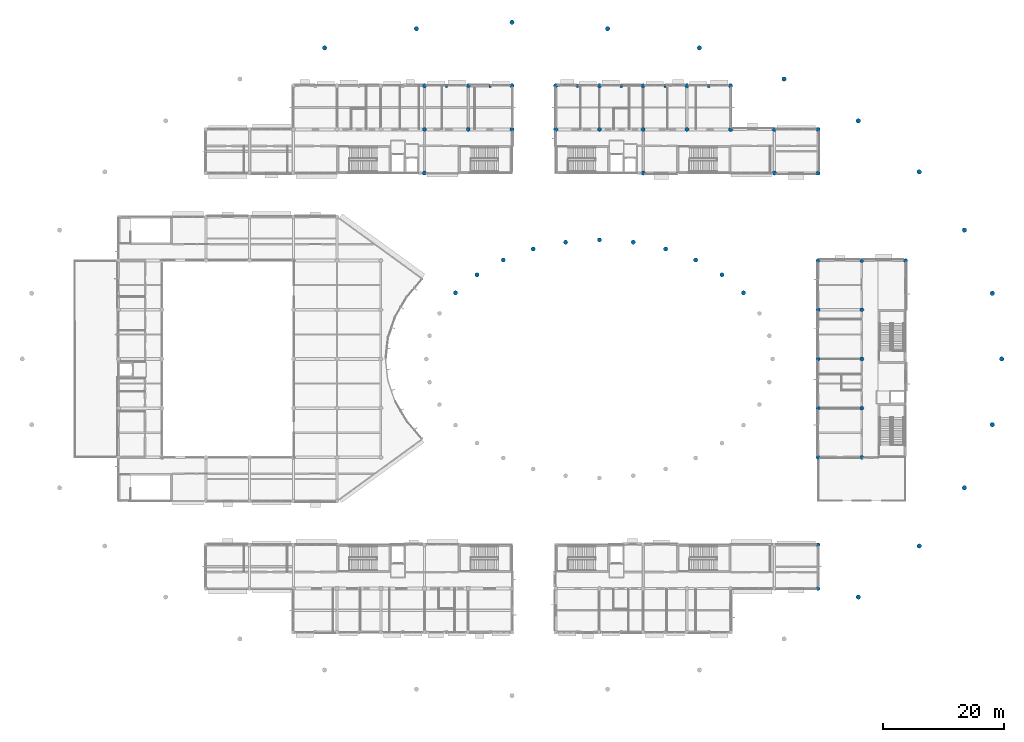
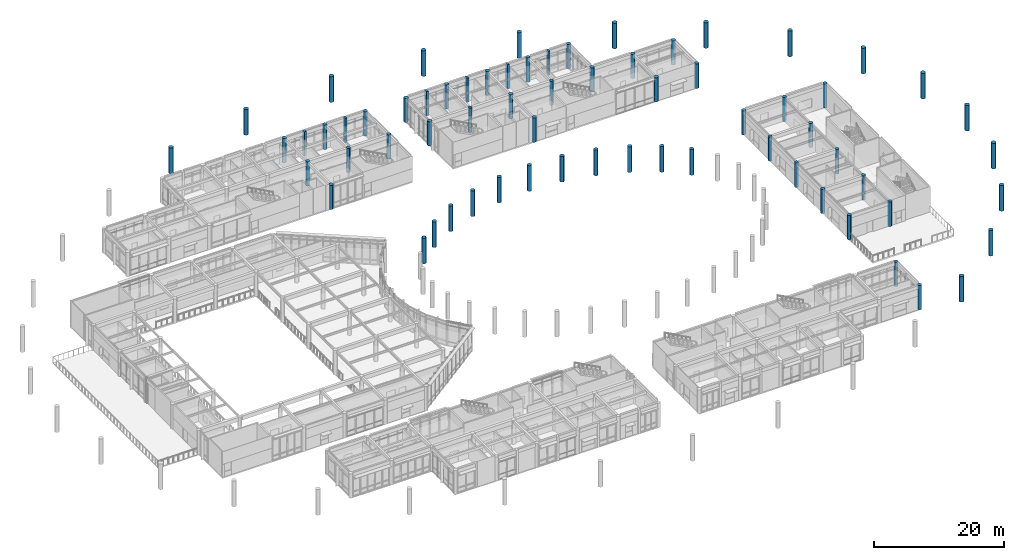
# One storey, part 2 of 92: 67 columns.
"""IFC4 building model written with IfcOpenShell, lengths in metres."""

from ifc_helpers import new_model, si_unit, direction, frame, origin, origin_2d, place, context, subcontext, project, spatial, rectangle, circle, extrude, material, material_profile, profile_set, type_object, element, save


model = new_model("IFC4")

# Units and contexts
model_context = context("Model", 3, precision=1e-05, world=origin(), true_north=direction((0.0, 1.0)))
body_context = subcontext(model_context, "Body", "Model", "MODEL_VIEW")
ifc_project = project(units=[si_unit("LENGTHUNIT", "METRE"), si_unit("AREAUNIT", "SQUARE_METRE"), si_unit("VOLUMEUNIT", "CUBIC_METRE"), si_unit("PLANEANGLEUNIT", "RADIAN"), si_unit("MASSUNIT", "GRAM", prefix="KILO")], contexts=[model_context])

# Site, building, storey
site_placement = place(None, origin())
site = spatial("IfcSite", under=ifc_project, at=site_placement, CompositionType="ELEMENT")
building_placement = place(site_placement, origin())
building = spatial("IfcBuilding", under=site, at=building_placement, Name="Namkhue Oval Health Centre", CompositionType="ELEMENT")
storey_placement = place(building_placement, frame((0.0, 0.0, 4.800048828125)))
storey = spatial("IfcBuildingStorey", under=building, at=storey_placement, Name="L01", CompositionType="ELEMENT", Elevation=4.800048828125)

# Columns
ifc_material = material(Name="Reinforced concrete C35/45 (TCVN B40)", Category="concrete")
ifc_material_profile_1 = material_profile(ifc_material, rectangle(XDim=0.35009765625, YDim=0.60009765625, at=origin_2d()), Name="RC 350x600")
ifc_profile_set_1 = profile_set([ifc_material_profile_1], Name="Reinforced concrete C35/45 (TCVN B40)")
column_type_1 = type_object("IfcColumnType", Name="FACADE PILASTER 350X600", PredefinedType="PILASTER", material=ifc_profile_set_1)
for number, where, z_axis, x_axis, name in (
    (1, (75.60009765625, 104.39990234375, 0.0), (0.0, 0.0, 1.0), (1.0, 0.0, 0.0), "Volume V2 L01 Street Pilaster 11"),
    (2, (82.800048828125, 104.39990234375, 0.0), (0.0, 0.0, 1.0), (1.0, 0.0, 0.0), "Volume V2 L01 Street Pilaster 12"),
):
    element("IfcColumn", number, at=place(storey_placement, frame(where, z_axis=z_axis, x_axis=x_axis)), inside=storey, type_object=column_type_1, Name=name, PredefinedType="PILASTER", context=body_context, shape_type="SweptSolid", body=[
        extrude(rectangle(XDim=0.35009765625, YDim=0.60009765625, at=origin_2d()), origin(), (0.0, 0.0, 1.0), 4.554931640625),
    ])
for number, where, z_axis, x_axis, name in (
    (3, (97.199951171875, 104.39990234375, 0.0), (0.0, 0.0, 1.0), (1.0, 0.0, 0.0), "Volume V3 L01 Street Pilaster 14"),
    (4, (104.39990234375, 104.39990234375, 0.0), (0.0, 0.0, 1.0), (1.0, 0.0, 0.0), "Volume V3 L01 Street Pilaster 15"),
    (5, (111.60009765625, 104.39990234375, 0.0), (0.0, 0.0, 1.0), (1.0, 0.0, 0.0), "Volume V3 L01 Street Pilaster 16"),
    (6, (118.800048828125, 104.39990234375, 0.0), (0.0, 0.0, 1.0), (1.0, 0.0, 0.0), "Volume V3 L01 Street Pilaster 17"),
):
    element("IfcColumn", number, at=place(storey_placement, frame(where, z_axis=z_axis, x_axis=x_axis)), inside=storey, type_object=column_type_1, Name=name, PredefinedType="PILASTER", context=body_context, shape_type="SweptSolid", body=[
        extrude(rectangle(XDim=0.35009765625, YDim=0.60009765625, at=origin_2d()), origin(), (0.0, 0.0, 1.0), 4.530029296875),
    ])
ifc_material_profile_2 = material_profile(ifc_material, circle(Radius=0.324951171875, at=origin_2d()), Name="RC D650")
ifc_profile_set_2 = profile_set([ifc_material_profile_2], Name="Reinforced concrete C35/45 (TCVN B40)")
column_type_2 = type_object("IfcColumnType", Name="RC COLUMN D650 EXT", PredefinedType="COLUMN", material=ifc_profile_set_2)
for number, where, z_axis, x_axis, name in (
    (7, (136.800048828125, 21.60009765625, 0.0), (0.0, 0.0, 1.0), (1.0, 0.0, 0.0), "Volume V5 L01 Column 20/D"),
    (8, (136.800048828125, 28.800048828125, 0.0), (0.0, 0.0, 1.0), (1.0, 0.0, 0.0), "Volume V5 L01 Column 20/E"),
):
    element("IfcColumn", number, at=place(storey_placement, frame(where, z_axis=z_axis, x_axis=x_axis)), inside=storey, type_object=column_type_2, Name=name, PredefinedType="COLUMN", context=body_context, shape_type="SweptSolid", body=[
        extrude(circle(Radius=0.324951171875, at=origin_2d()), origin(), (0.0, 0.0, 1.0), 4.537841796875),
    ])
for number, where, z_axis, x_axis, name in (
    (9, (136.800048828125, 43.199951171875, 0.0), (0.0, 0.0, 1.0), (1.0, 0.0, 0.0), "Volume V6 L01 Column 20/G"),
    (10, (136.800048828125, 51.300048828125, 0.0), (0.0, 0.0, 1.0), (1.0, 0.0, 0.0), "Volume V6 L01 Column 20/H"),
    (11, (136.800048828125, 59.39990234375, 0.0), (0.0, 0.0, 1.0), (1.0, 0.0, 0.0), "Volume V6 L01 Column 20/J"),
):
    element("IfcColumn", number, at=place(storey_placement, frame(where, z_axis=z_axis, x_axis=x_axis)), inside=storey, type_object=column_type_2, Name=name, PredefinedType="COLUMN", context=body_context, shape_type="SweptSolid", body=[
        extrude(circle(Radius=0.324951171875, at=origin_2d()), origin(), (0.0, 0.0, 1.0), 4.56005859375),
    ])
for number, where, z_axis, x_axis, name in (
    (12, (136.800048828125, 67.5, 0.0), (0.0, 0.0, 1.0), (1.0, 0.0, 0.0), "Volume V6 L01 Column 20/K"),
    (13, (136.800048828125, 75.60009765625, 0.0), (0.0, 0.0, 1.0), (1.0, 0.0, 0.0), "Volume V6 L01 Column 20/L"),
):
    element("IfcColumn", number, at=place(storey_placement, frame(where, z_axis=z_axis, x_axis=x_axis)), inside=storey, type_object=column_type_2, Name=name, PredefinedType="COLUMN", context=body_context, shape_type="SweptSolid", body=[
        extrude(circle(Radius=0.324951171875, at=origin_2d()), origin(), (0.0, 0.0, 1.0), 4.51806640625),
    ])
column_1_placement = place(storey_placement, frame((144.0, 43.199951171875, 0.0), z_axis=(0.0, 0.0, 1.0), x_axis=(1.0, 0.0, 0.0)))
element("IfcColumn", 14, at=column_1_placement, inside=storey, type_object=column_type_2, Name="Volume V6 L01 Column 21/G", PredefinedType="COLUMN", context=body_context, shape_type="SweptSolid", body=[
    extrude(circle(Radius=0.324951171875, at=origin_2d()), origin(), (0.0, 0.0, 1.0), 4.56005859375),
])
for number, where, z_axis, x_axis, name in (
    (15, (144.0, 75.60009765625, 0.0), (0.0, 0.0, 1.0), (1.0, 0.0, 0.0), "Volume V6 L01 Column 21/L"),
    (16, (151.199951171875, 75.60009765625, 0.0), (0.0, 0.0, 1.0), (1.0, 0.0, 0.0), "Volume V6 L01 Column 22/L"),
):
    element("IfcColumn", number, at=place(storey_placement, frame(where, z_axis=z_axis, x_axis=x_axis)), inside=storey, type_object=column_type_2, Name=name, PredefinedType="COLUMN", context=body_context, shape_type="SweptSolid", body=[
        extrude(circle(Radius=0.324951171875, at=origin_2d()), origin(), (0.0, 0.0, 1.0), 4.51806640625),
    ])
ifc_material_profile_3 = material_profile(ifc_material, circle(Radius=0.324951171875, at=origin_2d()), Name="RC D650")
ifc_profile_set_3 = profile_set([ifc_material_profile_3], Name="Reinforced concrete C35/45 (TCVN B40)")
column_type_3 = type_object("IfcColumnType", Name="RC COLUMN D650 INT", PredefinedType="COLUMN", material=ifc_profile_set_3)
for number, where, z_axis, x_axis, name in (
    (17, (72.0, 97.199951171875, 0.0), (0.0, 0.0, 1.0), (1.0, 0.0, 0.0), "Volume V2 L01 Column 11/O"),
    (18, (79.199951171875, 97.199951171875, 0.0), (0.0, 0.0, 1.0), (1.0, 0.0, 0.0), "Volume V2 L01 Column 12/O"),
):
    element("IfcColumn", number, at=place(storey_placement, frame(where, z_axis=z_axis, x_axis=x_axis)), inside=storey, type_object=column_type_3, Name=name, PredefinedType="COLUMN", context=body_context, shape_type="SweptSolid", body=[
        extrude(circle(Radius=0.324951171875, at=origin_2d()), origin(), (0.0, 0.0, 1.0), 4.554931640625),
    ])
for number, where, z_axis, x_axis, name in (
    (19, (100.800048828125, 97.199951171875, 0.0), (0.0, 0.0, 1.0), (1.0, 0.0, 0.0), "Volume V3 L01 Column 15/O"),
    (20, (108.0, 97.199951171875, 0.0), (0.0, 0.0, 1.0), (1.0, 0.0, 0.0), "Volume V3 L01 Column 16/O"),
    (21, (115.199951171875, 97.199951171875, 0.0), (0.0, 0.0, 1.0), (1.0, 0.0, 0.0), "Volume V3 L01 Column 17/O"),
):
    element("IfcColumn", number, at=place(storey_placement, frame(where, z_axis=z_axis, x_axis=x_axis)), inside=storey, type_object=column_type_3, Name=name, PredefinedType="COLUMN", context=body_context, shape_type="SweptSolid", body=[
        extrude(circle(Radius=0.324951171875, at=origin_2d()), origin(), (0.0, 0.0, 1.0), 4.530029296875),
    ])
for number, where, z_axis, x_axis, name in (
    (22, (144.0, 51.300048828125, 0.0), (0.0, 0.0, 1.0), (1.0, 0.0, 0.0), "Volume V6 L01 Column 21/H"),
    (23, (144.0, 59.39990234375, 0.0), (0.0, 0.0, 1.0), (1.0, 0.0, 0.0), "Volume V6 L01 Column 21/J"),
):
    element("IfcColumn", number, at=place(storey_placement, frame(where, z_axis=z_axis, x_axis=x_axis)), inside=storey, type_object=column_type_3, Name=name, PredefinedType="COLUMN", context=body_context, shape_type="SweptSolid", body=[
        extrude(circle(Radius=0.324951171875, at=origin_2d()), origin(), (0.0, 0.0, 1.0), 4.56005859375),
    ])
column_2_placement = place(storey_placement, frame((144.0, 67.5, 0.0), z_axis=(0.0, 0.0, 1.0), x_axis=(1.0, 0.0, 0.0)))
element("IfcColumn", 24, at=column_2_placement, inside=storey, type_object=column_type_3, Name="Volume V6 L01 Column 21/K", PredefinedType="COLUMN", context=body_context, shape_type="SweptSolid", body=[
    extrude(circle(Radius=0.324951171875, at=origin_2d()), origin(), (0.0, 0.0, 1.0), 4.51806640625),
])
ifc_material_profile_4 = material_profile(ifc_material, circle(Radius=0.35009765625, at=origin_2d()), Name="RC D700")
ifc_profile_set_4 = profile_set([ifc_material_profile_4], Name="Reinforced concrete C35/45 (TCVN B40)")
column_type_4 = type_object("IfcColumnType", Name="RC COLUMN D700 EXT", PredefinedType="COLUMN", material=ifc_profile_set_4)
for number, where, z_axis, x_axis, name in (
    (25, (72.0, 90.0, 0.0), (0.0, 0.0, 1.0), (1.0, 0.0, 0.0), "Volume V2 L01 Column 11/N"),
    (26, (72.0, 104.39990234375, 0.0), (0.0, 0.0, 1.0), (1.0, 0.0, 0.0), "Volume V2 L01 Column 11/P"),
    (27, (79.199951171875, 104.39990234375, 0.0), (0.0, 0.0, 1.0), (1.0, 0.0, 0.0), "Volume V2 L01 Column 12/P"),
    (28, (86.39990234375, 97.199951171875, 0.0), (0.0, 0.0, 1.0), (1.0, 0.0, 0.0), "Volume V2 L01 Column 13/O"),
    (29, (86.39990234375, 104.39990234375, 0.0), (0.0, 0.0, 1.0), (1.0, 0.0, 0.0), "Volume V2 L01 Column 13/P"),
):
    element("IfcColumn", number, at=place(storey_placement, frame(where, z_axis=z_axis, x_axis=x_axis)), inside=storey, type_object=column_type_4, Name=name, PredefinedType="COLUMN", context=body_context, shape_type="SweptSolid", body=[
        extrude(circle(Radius=0.35009765625, at=origin_2d()), origin(), (0.0, 0.0, 1.0), 4.554931640625),
    ])
for number, where, z_axis, x_axis, name in (
    (30, (93.60009765625, 97.199951171875, 0.0), (0.0, 0.0, 1.0), (1.0, 0.0, 0.0), "Volume V3 L01 Column 14/O"),
    (31, (93.60009765625, 104.39990234375, 0.0), (0.0, 0.0, 1.0), (1.0, 0.0, 0.0), "Volume V3 L01 Column 14/P"),
    (32, (100.800048828125, 104.39990234375, 0.0), (0.0, 0.0, 1.0), (1.0, 0.0, 0.0), "Volume V3 L01 Column 15/P"),
    (33, (108.0, 90.0, 0.0), (0.0, 0.0, 1.0), (1.0, 0.0, 0.0), "Volume V3 L01 Column 16/N"),
    (34, (108.0, 104.39990234375, 0.0), (0.0, 0.0, 1.0), (1.0, 0.0, 0.0), "Volume V3 L01 Column 16/P"),
    (35, (115.199951171875, 104.39990234375, 0.0), (0.0, 0.0, 1.0), (1.0, 0.0, 0.0), "Volume V3 L01 Column 17/P"),
    (36, (122.39990234375, 97.199951171875, 0.0), (0.0, 0.0, 1.0), (1.0, 0.0, 0.0), "Volume V3 L01 Column 18/O"),
    (37, (122.39990234375, 104.39990234375, 0.0), (0.0, 0.0, 1.0), (1.0, 0.0, 0.0), "Volume V3 L01 Column 18/P"),
    (38, (129.60009765625, 90.0, 0.0), (0.0, 0.0, 1.0), (1.0, 0.0, 0.0), "Volume V3 L01 Column 19/N"),
    (39, (129.60009765625, 97.199951171875, 0.0), (0.0, 0.0, 1.0), (1.0, 0.0, 0.0), "Volume V3 L01 Column 19/O"),
):
    element("IfcColumn", number, at=place(storey_placement, frame(where, z_axis=z_axis, x_axis=x_axis)), inside=storey, type_object=column_type_4, Name=name, PredefinedType="COLUMN", context=body_context, shape_type="SweptSolid", body=[
        extrude(circle(Radius=0.35009765625, at=origin_2d()), origin(), (0.0, 0.0, 1.0), 4.530029296875),
    ])
for number, where, z_axis, x_axis, name in (
    (40, (136.800048828125, 90.0, 0.0), (0.0, 0.0, 1.0), (1.0, 0.0, 0.0), "Volume V3 L01 Column 20/N"),
    (41, (136.800048828125, 97.199951171875, 0.0), (0.0, 0.0, 1.0), (1.0, 0.0, 0.0), "Volume V3 L01 Column 20/O"),
):
    element("IfcColumn", number, at=place(storey_placement, frame(where, z_axis=z_axis, x_axis=x_axis)), inside=storey, type_object=column_type_4, Name=name, PredefinedType="COLUMN", context=body_context, shape_type="SweptSolid", body=[
        extrude(circle(Radius=0.35009765625, at=origin_2d()), origin(), (0.0, 0.0, 1.0), 4.56201171875),
    ])
for number, where, z_axis, x_axis, name in (
    (42, (124.5068359375, 70.290283203125, 0.0), (0.0, 0.0, 1.0), (1.0, 0.0, 0.0), "Gridshell IR Colonnade Column 4 L01"),
    (43, (120.9609375, 73.2607421875, 0.0), (0.0, 0.0, 1.0), (1.0, 0.0, 0.0), "Gridshell IR Colonnade Column 5 L01"),
    (44, (116.640380859375, 75.698486328125, 0.0), (0.0, 0.0, 1.0), (1.0, 0.0, 0.0), "Gridshell IR Colonnade Column 6 L01"),
    (45, (111.711181640625, 77.509765625, 0.0), (0.0, 0.0, 1.0), (1.0, 0.0, 0.0), "Gridshell IR Colonnade Column 7 L01"),
    (46, (106.3623046875, 78.625244140625, 0.0), (0.0, 0.0, 1.0), (1.0, 0.0, 0.0), "Gridshell IR Colonnade Column 8 L01"),
    (47, (100.800048828125, 79.001953125, 0.0), (0.0, 0.0, 1.0), (1.0, 0.0, 0.0), "Gridshell IR Colonnade Column 9 L01"),
    (48, (95.237548828125, 78.625244140625, 0.0), (0.0, 0.0, 1.0), (1.0, 0.0, 0.0), "Gridshell IR Colonnade Column 10 L01"),
    (49, (89.888916015625, 77.509765625, 0.0), (0.0, 0.0, 1.0), (1.0, 0.0, 0.0), "Gridshell IR Colonnade Column 11 L01"),
    (50, (84.95947265625, 75.698486328125, 0.0), (0.0, 0.0, 1.0), (1.0, 0.0, 0.0), "Gridshell IR Colonnade Column 12 L01"),
    (51, (80.638916015625, 73.2607421875, 0.0), (0.0, 0.0, 1.0), (1.0, 0.0, 0.0), "Gridshell IR Colonnade Column 13 L01"),
    (52, (77.093017578125, 70.290283203125, 0.0), (0.0, 0.0, 1.0), (1.0, 0.0, 0.0), "Gridshell IR Colonnade Column 14 L01"),
):
    element("IfcColumn", number, at=place(storey_placement, frame(where, z_axis=z_axis, x_axis=x_axis)), inside=storey, type_object=column_type_4, Name=name, PredefinedType="COLUMN", context=body_context, shape_type="SweptSolid", body=[
        extrude(circle(Radius=0.35009765625, at=origin_2d()), origin(), (0.0, 0.0, 1.0), 4.800048828125),
    ])
ifc_material_profile_5 = material_profile(ifc_material, circle(Radius=0.375, at=origin_2d()), Name="RC D750")
ifc_profile_set_5 = profile_set([ifc_material_profile_5], Name="Reinforced concrete C35/45 (TCVN B40)")
column_type_5 = type_object("IfcColumnType", Name="RC COLUMN D750 EXT", PredefinedType="COLUMN", material=ifc_profile_set_5)
for number, where, z_axis, x_axis, name in (
    (53, (167.0400390625, 59.39990234375, 0.0), (0.0, 0.0, 1.0), (1.0, 0.0, 0.0), "Gridshell OR Colonnade Column 1 L01"),
    (54, (165.490478515625, 70.2158203125, 0.0), (0.0, 0.0, 1.0), (1.0, 0.0, 0.0), "Gridshell OR Colonnade Column 2 L01"),
    (55, (160.901611328125, 80.615966796875, 0.0), (0.0, 0.0, 1.0), (1.0, 0.0, 0.0), "Gridshell OR Colonnade Column 3 L01"),
    (56, (153.44970703125, 90.200927734375, 0.0), (0.0, 0.0, 1.0), (1.0, 0.0, 0.0), "Gridshell OR Colonnade Column 4 L01"),
    (57, (143.421142578125, 98.60205078125, 0.0), (0.0, 0.0, 1.0), (1.0, 0.0, 0.0), "Gridshell OR Colonnade Column 5 L01"),
    (58, (131.201171875, 105.49658203125, 0.0), (0.0, 0.0, 1.0), (1.0, 0.0, 0.0), "Gridshell OR Colonnade Column 6 L01"),
    (59, (117.259521484375, 110.619873046875, 0.0), (0.0, 0.0, 1.0), (1.0, 0.0, 0.0), "Gridshell OR Colonnade Column 7 L01"),
    (60, (102.132080078125, 113.774658203125, 0.0), (0.0, 0.0, 1.0), (1.0, 0.0, 0.0), "Gridshell OR Colonnade Column 8 L01"),
    (61, (86.39990234375, 114.840087890625, 0.0), (0.0, 0.0, 1.0), (1.0, 0.0, 0.0), "Gridshell OR Colonnade Column 9 L01"),
    (62, (70.66796875, 113.774658203125, 0.0), (0.0, 0.0, 1.0), (1.0, 0.0, 0.0), "Gridshell OR Colonnade Column 10 L01"),
    (63, (55.54052734375, 110.619873046875, 0.0), (0.0, 0.0, 1.0), (1.0, 0.0, 0.0), "Gridshell OR Colonnade Column 11 L01"),
    (64, (143.421142578125, 20.197998046875, 0.0), (0.0, 0.0, 1.0), (1.0, 0.0, 0.0), "Gridshell OR Colonnade Column 29 L01"),
    (65, (153.44970703125, 28.59912109375, 0.0), (0.0, 0.0, 1.0), (1.0, 0.0, 0.0), "Gridshell OR Colonnade Column 30 L01"),
    (66, (160.901611328125, 38.18408203125, 0.0), (0.0, 0.0, 1.0), (1.0, 0.0, 0.0), "Gridshell OR Colonnade Column 31 L01"),
    (67, (165.490478515625, 48.584228515625, 0.0), (0.0, 0.0, 1.0), (1.0, 0.0, 0.0), "Gridshell OR Colonnade Column 32 L01"),
):
    element("IfcColumn", number, at=place(storey_placement, frame(where, z_axis=z_axis, x_axis=x_axis)), inside=storey, type_object=column_type_5, Name=name, PredefinedType="COLUMN", context=body_context, shape_type="SweptSolid", body=[
        extrude(circle(Radius=0.375, at=origin_2d()), origin(), (0.0, 0.0, 1.0), 4.800048828125),
    ])

save(model, "model.ifc")
